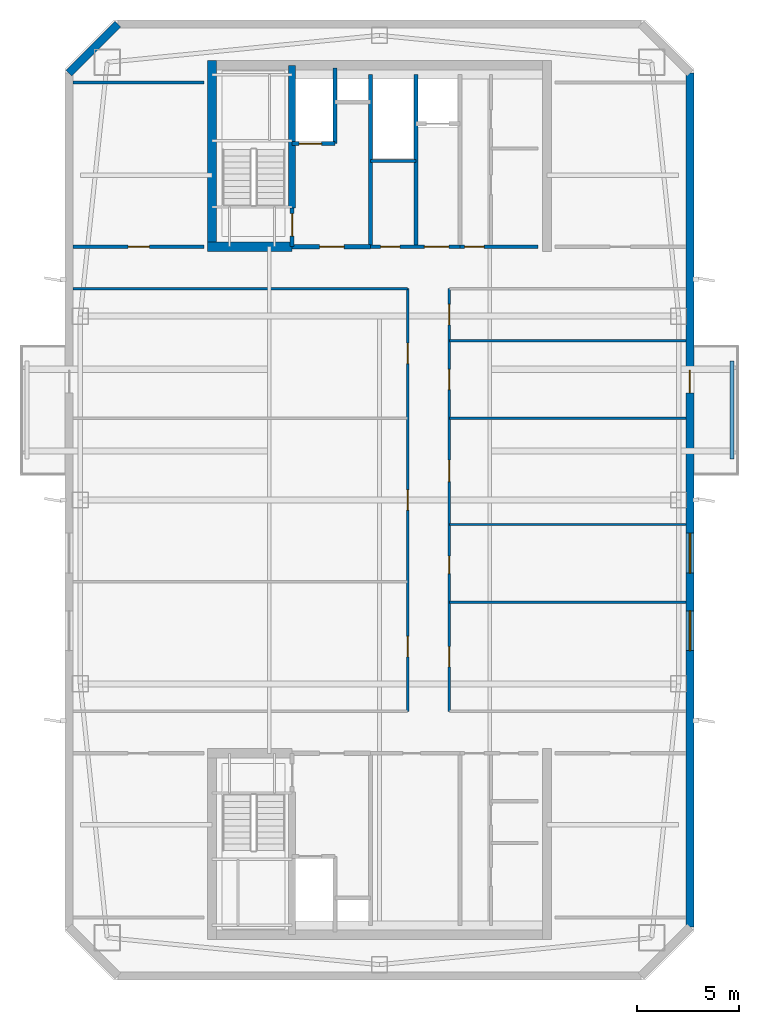
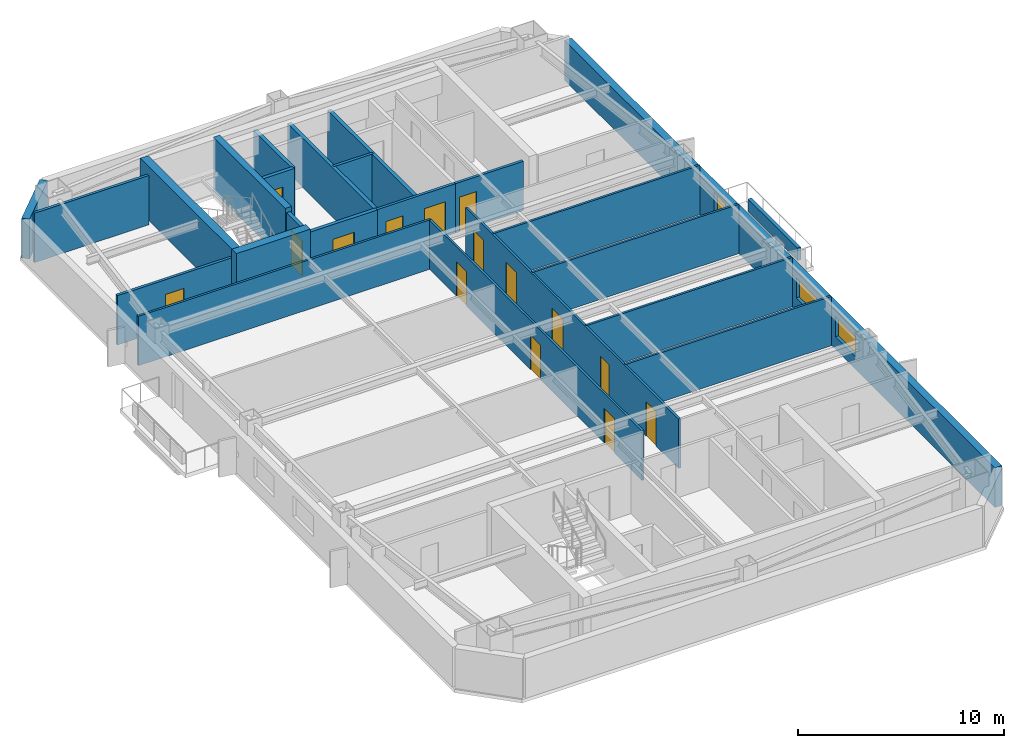
# One storey, part 3 of 7: 24 walls, 16 doors, 2 windows, 18 openings.
"""IFC4 building model written with IfcOpenShell, lengths in metres."""

from ifc_helpers import new_model, si_unit, direction, frame, frame_2d, origin, place, context, subcontext, project, spatial, rectangle, extrude, material, layer, layer_set, type_object, element, fill, save


model = new_model("IFC4")

# Units and contexts
model_context = context("Model", 3, precision=1e-05, world=origin(), true_north=direction((0.0, 1.0)))
body_context = subcontext(model_context, "Body", "Model", "MODEL_VIEW")
ifc_project = project(units=[si_unit("LENGTHUNIT", "METRE"), si_unit("AREAUNIT", "SQUARE_METRE"), si_unit("VOLUMEUNIT", "CUBIC_METRE"), si_unit("PLANEANGLEUNIT", "RADIAN"), si_unit("MASSUNIT", "GRAM", prefix="KILO")], contexts=[model_context])

# Site, building, storey
site_placement = place(None, origin())
site = spatial("IfcSite", under=ifc_project, at=site_placement, CompositionType="ELEMENT")
building_placement = place(site_placement, origin())
building = spatial("IfcBuilding", under=site, at=building_placement, Name="Qiaolan Cultural Towers", CompositionType="ELEMENT")
storey_placement = place(building_placement, frame((0.0, 0.0, 266.39990234375)))
storey = spatial("IfcBuildingStorey", under=building, at=storey_placement, Name="L73", CompositionType="ELEMENT", Elevation=266.39990234375)

# Walls
ifc_material_1 = material(Name="Concrete C50", Category="concrete")
ifc_layer_1 = layer(ifc_material_1, 0.35009765625)
ifc_layer_set_1 = layer_set([ifc_layer_1], Name="Concrete C50")
wall_type_1 = type_object("IfcWallType", Name="WL-CORE-350", PredefinedType="SHEAR", material=ifc_layer_set_1)
wall_1_placement = place(storey_placement, frame((25.719970703125, 48.300048828125, 0.0), z_axis=(0.0, 0.0, 1.0), x_axis=(0.0, 1.0, 0.0)))
element("IfcWall", 1, at=wall_1_placement, inside=storey, type_object=wall_type_1, Name="L73 T1-CN Stair Core Dividing Web", PredefinedType="SHEAR", context=body_context, shape_type="SweptSolid", body=[
    extrude(rectangle(XDim=6.97998046875, YDim=0.35009765625, at=frame_2d((3.489990234375, 0.0))), origin(), (0.0, 0.0, 1.0), 3.2001953125),
])
ifc_material_2 = material(Name="Concrete C50", Category="concrete")
ifc_layer_2 = layer(ifc_material_2, 0.449951171875)
ifc_layer_set_2 = layer_set([ifc_layer_2], Name="Concrete C50")
wall_type_2 = type_object("IfcWallType", Name="WL-CORE-450", PredefinedType="SHEAR", material=ifc_layer_set_2)
wall_2_placement = place(storey_placement, frame((21.800048828125, 46.175048828125, 0.0), z_axis=(0.0, 0.0, 1.0), x_axis=(0.0, 1.0, 0.0)))
element("IfcWall", 2, at=wall_2_placement, inside=storey, type_object=wall_type_2, Name="L73 T1-CN West Core Shear Wall", PredefinedType="SHEAR", context=body_context, shape_type="SweptSolid", body=[
    extrude(rectangle(XDim=9.329833984375, YDim=0.449951171875, at=frame_2d((4.6650390625, 0.0))), origin(), (0.0, 0.0, 1.0), 3.2001953125),
])
wall_3_placement = place(storey_placement, frame((21.574951171875, 46.39990234375, 0.0), z_axis=(0.0, 0.0, 1.0), x_axis=(1.0, 0.0, 0.0)))
element("IfcWall", 3, at=wall_3_placement, inside=storey, type_object=wall_type_2, Name="L73 T1-CN Stair Front Shear Wall", PredefinedType="SHEAR", context=body_context, shape_type="SweptSolid", body=[
    extrude(rectangle(XDim=4.14501953125, YDim=0.449951171875, at=frame_2d((2.072509765625, 0.0))), origin(), (0.0, 0.0, 1.0), 3.2001953125),
])
ifc_material_3 = material(Name="Precast Concrete C50 Honed Stone Pier", Category="masonry")
ifc_layer_3 = layer(ifc_material_3, 0.39990234375)
ifc_layer_set_3 = layer_set([ifc_layer_3], Name="Precast Concrete C50 Honed Stone Pier")
wall_type_3 = type_object("IfcWallType", Name="WL-EXT-PIER-400", PredefinedType="SOLIDWALL", material=ifc_layer_set_3)
wall_4_placement = place(storey_placement, frame((14.800048828125, 54.89990234375, 0.0), z_axis=(0.0, 0.0, 1.0), x_axis=(0.707070815327, 0.707142745217, 0.0)))
element("IfcWall", 4, at=wall_4_placement, inside=storey, type_object=wall_type_3, Name="L73 West Tower Precast Pier Facade Wall F2", PredefinedType="SOLIDWALL", context=body_context, shape_type="SweptSolid", body=[
    extrude(rectangle(XDim=3.39404296875, YDim=0.39990234375, at=frame_2d((1.697021484375, 0.0))), origin(), (0.0, 0.0, 1.0), 2.360107421875),
])

# Wall, openings, door, windows
wall_5_placement = place(storey_placement, frame((45.199951171875, 54.89990234375, 0.0), z_axis=(0.0, 0.0, 1.0), x_axis=(0.0, -1.0, 0.0)))
wall_5 = element("IfcWall", 5, at=wall_5_placement, inside=storey, type_object=wall_type_3, Name="L73 West Tower Precast Pier Facade Wall F5", PredefinedType="SOLIDWALL", context=body_context, shape_type="SweptSolid", body=[
    extrude(rectangle(XDim=41.7998046875, YDim=0.39990234375, at=frame_2d((20.89990234375, 0.0))), origin(), (0.0, 0.0, 1.0), 2.360107421875),
])
opening_1_placement = place(wall_5_placement, frame((26.324951171875, 0.0, 0.75)))
opening_1 = element("IfcOpeningElement", 6, at=opening_1_placement, cuts=wall_5, Name="Opening W-06", PredefinedType="OPENING", context=body_context, shape_type="SweptSolid", body=[
    extrude(rectangle(XDim=1.949951171875, YDim=1.2099609375, at=frame_2d((0.97509765625, 0.60498046875))), frame((0.0, 0.2099609375, 0.0), z_axis=(0.0, -1.0, 0.0), x_axis=(1.0, 0.0, 0.0)), (0.0, 0.0, 1.0), 0.419921875),
])
opening_2_placement = place(wall_5_placement, frame((22.52490234375, 0.0, 0.75)))
opening_2 = element("IfcOpeningElement", 7, at=opening_2_placement, cuts=wall_5, Name="Opening W-06", PredefinedType="OPENING", context=body_context, shape_type="SweptSolid", body=[
    extrude(rectangle(XDim=1.949951171875, YDim=1.2099609375, at=frame_2d((0.97509765625, 0.60498046875))), frame((0.0, 0.2099609375, 0.0), z_axis=(0.0, -1.0, 0.0), x_axis=(1.0, 0.0, 0.0)), (0.0, 0.0, 1.0), 0.419921875),
])
opening_3_placement = place(wall_5_placement, frame((14.550048828125, 0.0, 0.0)))
opening_3 = element("IfcOpeningElement", 8, at=opening_3_placement, cuts=wall_5, Name="Opening BD-01", PredefinedType="OPENING", context=body_context, shape_type="SweptSolid", body=[
    extrude(rectangle(XDim=1.10009765625, YDim=2.14990234375, at=frame_2d((0.550048828125, 1.074951171875))), frame((0.0, 0.2099609375, 0.0), z_axis=(0.0, -1.0, 0.0), x_axis=(1.0, 0.0, 0.0)), (0.0, 0.0, 1.0), 0.419921875),
])
ifc_material_4 = material(Name="Thermally Broken Aluminium Glazed Terrace Door", Category="aluminium")
door_type_1 = type_object("IfcDoorType", Name="DR-BAL-1100", OperationType="NOTDEFINED", PredefinedType="DOOR", material=ifc_material_4)
door_1_placement = place(opening_3_placement, origin())
door_1 = element("IfcDoor", 9, at=door_1_placement, inside=storey, type_object=door_type_1, Name="L73 T1 East Tree Balcony Door", OperationType="SINGLE_SWING_RIGHT", OverallHeight=2.14990234375, OverallWidth=1.10009765625, PredefinedType="DOOR", context=body_context, shape_type="SweptSolid", body=[
    extrude(rectangle(XDim=1.10009765625, YDim=2.14990234375, at=frame_2d((0.550048828125, 1.074951171875))), frame((0.0, 0.02490234375, 0.0), z_axis=(0.0, -1.0, 0.0), x_axis=(1.0, 0.0, 0.0)), (0.0, 0.0, 1.0), 0.050048828125),
])
fill(opening_3, door_1)
ifc_material_5 = material(Name="Thermally Broken Aluminium Triple Low-E Glazing", Category="aluminium")
window_type = type_object("IfcWindowType", Name="WN-CHIC-1950", PartitioningType="SINGLE_PANEL", PredefinedType="WINDOW", material=ifc_material_5)
window_1_placement = place(opening_1_placement, origin())
window_1 = element("IfcWindow", 10, at=window_1_placement, inside=storey, type_object=window_type, Name="L73 T1 E Chicago Bay Window 1", OverallHeight=1.2099609375, OverallWidth=1.949951171875, PartitioningType="TRIPLE_PANEL_VERTICAL", PredefinedType="WINDOW", context=body_context, shape_type="SweptSolid", body=[
    extrude(rectangle(XDim=1.949951171875, YDim=1.2099609375, at=frame_2d((0.97509765625, 0.60498046875))), frame((0.0, 0.030029296875, 0.0), z_axis=(0.0, -1.0, 0.0), x_axis=(1.0, 0.0, 0.0)), (0.0, 0.0, 1.0), 0.06005859375),
])
fill(opening_1, window_1)
window_2_placement = place(opening_2_placement, origin())
window_2 = element("IfcWindow", 11, at=window_2_placement, inside=storey, type_object=window_type, Name="L73 T1 E Chicago Bay Window 2", OverallHeight=1.2099609375, OverallWidth=1.949951171875, PartitioningType="TRIPLE_PANEL_VERTICAL", PredefinedType="WINDOW", context=body_context, shape_type="SweptSolid", body=[
    extrude(rectangle(XDim=1.949951171875, YDim=1.2099609375, at=frame_2d((0.97509765625, 0.60498046875))), frame((0.0, 0.030029296875, 0.0), z_axis=(0.0, -1.0, 0.0), x_axis=(1.0, 0.0, 0.0)), (0.0, 0.0, 1.0), 0.06005859375),
])
fill(opening_2, window_2)

# Wall, opening, door
ifc_material_6 = material(Name="Concrete C35 Fire Wall", Category="concrete")
ifc_layer_4 = layer(ifc_material_6, 0.199951171875)
ifc_layer_set_4 = layer_set([ifc_layer_4], Name="Concrete C35 Fire Wall")
wall_type_4 = type_object("IfcWallType", Name="WL-FIRE-200", PredefinedType="PARTITIONING", material=ifc_layer_set_4)
wall_6_placement = place(storey_placement, frame((25.719970703125, 46.39990234375, 0.0), z_axis=(0.0, 0.0, 1.0), x_axis=(0.0, 1.0, 0.0)))
wall_6 = element("IfcWall", 12, at=wall_6_placement, inside=storey, type_object=wall_type_4, Name="L73 T1-CN Smokeproof Stair Entry Wall", PredefinedType="PARTITIONING", context=body_context, shape_type="SweptSolid", body=[
    extrude(rectangle(XDim=1.900146484375, YDim=0.199951171875, at=frame_2d((0.9501953125, 0.0))), origin(), (0.0, 0.0, 1.0), 2.925048828125),
])
opening_4_placement = place(wall_6_placement, frame((0.52001953125, 0.0, 0.0)))
opening_4 = element("IfcOpeningElement", 13, at=opening_4_placement, cuts=wall_6, Name="Opening FD-04", PredefinedType="OPENING", context=body_context, shape_type="SweptSolid", body=[
    extrude(rectangle(XDim=1.10009765625, YDim=2.050048828125, at=frame_2d((0.550048828125, 1.02490234375))), frame((0.0, 0.10986328125, 0.0), z_axis=(0.0, -1.0, 0.0), x_axis=(1.0, 0.0, 0.0)), (0.0, 0.0, 1.0), 0.219970703125),
])
ifc_material_7 = material(Name="Galvanized Steel Command Fire Door", Category="steel")
door_type_2 = type_object("IfcDoorType", Name="DR-FD90-1100", OperationType="NOTDEFINED", PredefinedType="DOOR", material=ifc_material_7)
door_2_placement = place(opening_4_placement, origin())
door_2 = element("IfcDoor", 14, at=door_2_placement, inside=storey, type_object=door_type_2, Name="L73 ST-W2 Smokeproof Stair Fire Door", OperationType="SINGLE_SWING_LEFT", OverallHeight=2.050048828125, OverallWidth=1.10009765625, PredefinedType="DOOR", context=body_context, shape_type="SweptSolid", body=[
    extrude(rectangle(XDim=1.10009765625, YDim=2.050048828125, at=frame_2d((0.550048828125, 1.02490234375))), frame((0.0, 0.02490234375, 0.0), z_axis=(0.0, -1.0, 0.0), x_axis=(1.0, 0.0, 0.0)), (0.0, 0.0, 1.0), 0.050048828125),
])
fill(opening_4, door_2)

# Wall
wall_7_placement = place(storey_placement, frame((29.550048828125, 46.39990234375, 0.0), z_axis=(0.0, 0.0, 1.0), x_axis=(0.0, 1.0, 0.0)))
element("IfcWall", 15, at=wall_7_placement, inside=storey, type_object=wall_type_4, Name="L73 T1-CN Firefighting Zone Wall", PredefinedType="PARTITIONING", context=body_context, shape_type="SweptSolid", body=[
    extrude(rectangle(XDim=8.43017578125, YDim=0.199951171875, at=frame_2d((4.215087890625, 0.0))), origin(), (0.0, 0.0, 1.0), 2.925048828125),
])

# Wall, opening, door
wall_8_placement = place(storey_placement, frame((25.719970703125, 46.39990234375, 0.0), z_axis=(0.0, 0.0, 1.0), x_axis=(1.0, 0.0, 0.0)))
wall_8 = element("IfcWall", 16, at=wall_8_placement, inside=storey, type_object=wall_type_4, Name="L73 T1-CN Firefighting Lobby Front Wall", PredefinedType="PARTITIONING", context=body_context, shape_type="SweptSolid", body=[
    extrude(rectangle(XDim=3.830078125, YDim=0.199951171875, at=frame_2d((1.9150390625, 0.0))), origin(), (0.0, 0.0, 1.0), 2.925048828125),
])
opening_5_placement = place(wall_8_placement, frame((1.35009765625, 0.0, 0.0)))
opening_5 = element("IfcOpeningElement", 17, at=opening_5_placement, cuts=wall_8, Name="Opening FD-03", PredefinedType="OPENING", context=body_context, shape_type="SweptSolid", body=[
    extrude(rectangle(XDim=1.199951171875, YDim=2.050048828125, at=frame_2d((0.60009765625, 1.02490234375))), frame((0.0, 0.10986328125, 0.0), z_axis=(0.0, -1.0, 0.0), x_axis=(1.0, 0.0, 0.0)), (0.0, 0.0, 1.0), 0.219970703125),
])
ifc_material_8 = material(Name="Galvanized Steel Smokeproof Lobby Fire Door", Category="steel")
door_type_3 = type_object("IfcDoorType", Name="DR-FD90-1200", OperationType="NOTDEFINED", PredefinedType="DOOR", material=ifc_material_8)
door_3_placement = place(opening_5_placement, origin())
door_3 = element("IfcDoor", 18, at=door_3_placement, inside=storey, type_object=door_type_3, Name="L73 FFL-W2 Firefighting Lobby Fire Door", OperationType="SINGLE_SWING_LEFT", OverallHeight=2.050048828125, OverallWidth=1.199951171875, PredefinedType="DOOR", context=body_context, shape_type="SweptSolid", body=[
    extrude(rectangle(XDim=1.199951171875, YDim=2.050048828125, at=frame_2d((0.60009765625, 1.02490234375))), frame((0.0, 0.02490234375, 0.0), z_axis=(0.0, -1.0, 0.0), x_axis=(1.0, 0.0, 0.0)), (0.0, 0.0, 1.0), 0.050048828125),
])
fill(opening_5, door_3)

wall_9_placement = place(storey_placement, frame((25.719970703125, 51.449951171875, 0.0), z_axis=(0.0, 0.0, 1.0), x_axis=(1.0, 0.0, 0.0)))
wall_9 = element("IfcWall", 19, at=wall_9_placement, inside=storey, type_object=wall_type_4, Name="L73 T1-CN Firefighting Shaft Front Wall", PredefinedType="PARTITIONING", context=body_context, shape_type="SweptSolid", body=[
    extrude(rectangle(XDim=2.10009765625, YDim=0.199951171875, at=frame_2d((1.050048828125, 0.0))), origin(), (0.0, 0.0, 1.0), 2.925048828125),
])
opening_6_placement = place(wall_9_placement, frame((0.35009765625, 0.0, 0.0)))
opening_6 = element("IfcOpeningElement", 20, at=opening_6_placement, cuts=wall_9, Name="Opening LD-01", PredefinedType="OPENING", context=body_context, shape_type="SweptSolid", body=[
    extrude(rectangle(XDim=1.10009765625, YDim=2.050048828125, at=frame_2d((0.550048828125, 1.02490234375))), frame((0.0, 0.10986328125, 0.0), z_axis=(0.0, -1.0, 0.0), x_axis=(1.0, 0.0, 0.0)), (0.0, 0.0, 1.0), 0.219970703125),
])
ifc_material_9 = material(Name="Brushed Stainless Steel S30408 Centre-Parting Lift Landing Door", Category="steel")
door_type_4 = type_object("IfcDoorType", Name="DR-LIFT-1100", OperationType="NOTDEFINED", PredefinedType="DOOR", material=ifc_material_9)
door_4_placement = place(opening_6_placement, origin())
door_4 = element("IfcDoor", 21, at=door_4_placement, inside=storey, type_object=door_type_4, Name="L73 FFL-W2 Firefighting Lift Landing Door", OperationType="DOUBLE_DOOR_SLIDING", OverallHeight=2.050048828125, OverallWidth=1.10009765625, PredefinedType="DOOR", context=body_context, shape_type="SweptSolid", body=[
    extrude(rectangle(XDim=1.10009765625, YDim=2.050048828125, at=frame_2d((0.550048828125, 1.02490234375))), frame((0.0, 0.02490234375, 0.0), z_axis=(0.0, -1.0, 0.0), x_axis=(1.0, 0.0, 0.0)), (0.0, 0.0, 1.0), 0.050048828125),
])
fill(opening_6, door_4)

# Walls
wall_10_placement = place(storey_placement, frame((27.820068359375, 51.449951171875, 0.0), z_axis=(0.0, 0.0, 1.0), x_axis=(0.0, 1.0, 0.0)))
element("IfcWall", 22, at=wall_10_placement, inside=storey, type_object=wall_type_4, Name="L73 T1-CN Firefighting Hoistway East Wall", PredefinedType="PARTITIONING", context=body_context, shape_type="SweptSolid", body=[
    extrude(rectangle(XDim=3.699951171875, YDim=0.199951171875, at=frame_2d((1.85009765625, 0.0))), origin(), (0.0, 0.0, 1.0), 2.925048828125),
])
wall_11_placement = place(storey_placement, frame((31.780029296875, 46.39990234375, 0.0), z_axis=(0.0, 0.0, 1.0), x_axis=(0.0, 1.0, 0.0)))
element("IfcWall", 23, at=wall_11_placement, inside=storey, type_object=wall_type_4, Name="L73 T1-CN Sky Shuttle Lift Zone Wall", PredefinedType="PARTITIONING", context=body_context, shape_type="SweptSolid", body=[
    extrude(rectangle(XDim=8.43017578125, YDim=0.199951171875, at=frame_2d((4.215087890625, 0.0))), origin(), (0.0, 0.0, 1.0), 2.925048828125),
])
ifc_material_10 = material(Name="Gypsum Stud Acoustic Partition", Category="gypsum")
ifc_layer_5 = layer(ifc_material_10, 0.1201171875)
ifc_layer_set_5 = layer_set([ifc_layer_5], Name="Gypsum Stud Acoustic Partition")
wall_type_5 = type_object("IfcWallType", Name="WL-PART-120", PredefinedType="PARTITIONING", material=ifc_layer_set_5)
wall_12_placement = place(storey_placement, frame((15.0, 44.35009765625, 0.0), z_axis=(0.0, 0.0, 1.0), x_axis=(1.0, 0.0, 0.0)))
element("IfcWall", 24, at=wall_12_placement, inside=storey, type_object=wall_type_5, Name="L73 T1 North Corridor Left Wall", PredefinedType="PARTITIONING", context=body_context, shape_type="SweptSolid", body=[
    extrude(rectangle(XDim=16.375, YDim=0.1201171875, at=frame_2d((8.1875, 0.0))), origin(), (0.0, 0.0, 1.0), 2.925048828125),
])

# Wall, openings, doors
wall_13_placement = place(storey_placement, frame((31.375, 23.64990234375, 0.0), z_axis=(0.0, 0.0, 1.0), x_axis=(0.0, 1.0, 0.0)))
wall_13 = element("IfcWall", 25, at=wall_13_placement, inside=storey, type_object=wall_type_5, Name="L73 T1 West Spine Wall", PredefinedType="PARTITIONING", context=body_context, shape_type="SweptSolid", body=[
    extrude(rectangle(XDim=20.7001953125, YDim=0.1201171875, at=frame_2d((10.35009765625, 0.0))), origin(), (0.0, 0.0, 1.0), 2.925048828125),
])
opening_7_placement = place(wall_13_placement, frame((2.675048828125, 0.0, 0.0)))
opening_7 = element("IfcOpeningElement", 26, at=opening_7_placement, cuts=wall_13, Name="Opening ID-04", PredefinedType="OPENING", context=body_context, shape_type="SweptSolid", body=[
    extrude(rectangle(XDim=1.0, YDim=2.050048828125, at=frame_2d((0.5, 1.02490234375))), frame((0.0, 0.070068359375, 0.0), z_axis=(0.0, -1.0, 0.0), x_axis=(1.0, 0.0, 0.0)), (0.0, 0.0, 1.0), 0.14013671875),
])
opening_8_placement = place(wall_13_placement, frame((9.85009765625, 0.0, 0.0)))
opening_8 = element("IfcOpeningElement", 27, at=opening_8_placement, cuts=wall_13, Name="Opening ID-04", PredefinedType="OPENING", context=body_context, shape_type="SweptSolid", body=[
    extrude(rectangle(XDim=1.0, YDim=2.050048828125, at=frame_2d((0.5, 1.02490234375))), frame((0.0, 0.070068359375, 0.0), z_axis=(0.0, -1.0, 0.0), x_axis=(1.0, 0.0, 0.0)), (0.0, 0.0, 1.0), 0.14013671875),
])
opening_9_placement = place(wall_13_placement, frame((17.02490234375, 0.0, 0.0)))
opening_9 = element("IfcOpeningElement", 28, at=opening_9_placement, cuts=wall_13, Name="Opening ID-04", PredefinedType="OPENING", context=body_context, shape_type="SweptSolid", body=[
    extrude(rectangle(XDim=1.0, YDim=2.050048828125, at=frame_2d((0.5, 1.02490234375))), frame((0.0, 0.070068359375, 0.0), z_axis=(0.0, -1.0, 0.0), x_axis=(1.0, 0.0, 0.0)), (0.0, 0.0, 1.0), 0.14013671875),
])
ifc_material_11 = material(Name="Oak Veneer Acoustic Office Door", Category="timber")
door_type_5 = type_object("IfcDoorType", Name="DR-INT-1000", OperationType="NOTDEFINED", PredefinedType="DOOR", material=ifc_material_11)
door_5_placement = place(opening_7_placement, origin())
door_5 = element("IfcDoor", 29, at=door_5_placement, inside=storey, type_object=door_type_5, Name="L73 T1 Observatory Cultural Salon Door", OperationType="SINGLE_SWING_LEFT", OverallHeight=2.050048828125, OverallWidth=1.0, PredefinedType="DOOR", context=body_context, shape_type="SweptSolid", body=[
    extrude(rectangle(XDim=1.0, YDim=2.050048828125, at=frame_2d((0.5, 1.02490234375))), frame((0.0, 0.02490234375, 0.0), z_axis=(0.0, -1.0, 0.0), x_axis=(1.0, 0.0, 0.0)), (0.0, 0.0, 1.0), 0.050048828125),
])
fill(opening_7, door_5)
door_6_placement = place(opening_8_placement, origin())
door_6 = element("IfcDoor", 30, at=door_6_placement, inside=storey, type_object=door_type_5, Name="L73 T1 Observatory Cultural Salon Door", OperationType="SINGLE_SWING_RIGHT", OverallHeight=2.050048828125, OverallWidth=1.0, PredefinedType="DOOR", context=body_context, shape_type="SweptSolid", body=[
    extrude(rectangle(XDim=1.0, YDim=2.050048828125, at=frame_2d((0.5, 1.02490234375))), frame((0.0, 0.02490234375, 0.0), z_axis=(0.0, -1.0, 0.0), x_axis=(1.0, 0.0, 0.0)), (0.0, 0.0, 1.0), 0.050048828125),
])
fill(opening_8, door_6)
door_7_placement = place(opening_9_placement, origin())
door_7 = element("IfcDoor", 31, at=door_7_placement, inside=storey, type_object=door_type_5, Name="L73 T1 Observatory Lounge Door", OperationType="SINGLE_SWING_LEFT", OverallHeight=2.050048828125, OverallWidth=1.0, PredefinedType="DOOR", context=body_context, shape_type="SweptSolid", body=[
    extrude(rectangle(XDim=1.0, YDim=2.050048828125, at=frame_2d((0.5, 1.02490234375))), frame((0.0, 0.02490234375, 0.0), z_axis=(0.0, -1.0, 0.0), x_axis=(1.0, 0.0, 0.0)), (0.0, 0.0, 1.0), 0.050048828125),
])
fill(opening_9, door_7)

wall_14_placement = place(storey_placement, frame((33.425048828125, 23.64990234375, 0.0), z_axis=(0.0, 0.0, 1.0), x_axis=(0.0, 1.0, 0.0)))
wall_14 = element("IfcWall", 32, at=wall_14_placement, inside=storey, type_object=wall_type_5, Name="L73 T1 East Spine Wall", PredefinedType="PARTITIONING", context=body_context, shape_type="SweptSolid", body=[
    extrude(rectangle(XDim=20.7001953125, YDim=0.1201171875, at=frame_2d((10.35009765625, 0.0))), origin(), (0.0, 0.0, 1.0), 2.925048828125),
])
opening_10_placement = place(wall_14_placement, frame((2.175048828125, 0.0, 0.0)))
opening_10 = element("IfcOpeningElement", 33, at=opening_10_placement, cuts=wall_14, Name="Opening ID-04", PredefinedType="OPENING", context=body_context, shape_type="SweptSolid", body=[
    extrude(rectangle(XDim=1.0, YDim=2.050048828125, at=frame_2d((0.5, 1.02490234375))), frame((0.0, 0.070068359375, 0.0), z_axis=(0.0, -1.0, 0.0), x_axis=(1.0, 0.0, 0.0)), (0.0, 0.0, 1.0), 0.14013671875),
])
opening_11_placement = place(wall_14_placement, frame((6.75, 0.0, 0.0)))
opening_11 = element("IfcOpeningElement", 34, at=opening_11_placement, cuts=wall_14, Name="Opening ID-09", PredefinedType="OPENING", context=body_context, shape_type="SweptSolid", body=[
    extrude(rectangle(XDim=0.85009765625, YDim=2.050048828125, at=frame_2d((0.425048828125, 1.02490234375))), frame((0.0, 0.070068359375, 0.0), z_axis=(0.0, -1.0, 0.0), x_axis=(1.0, 0.0, 0.0)), (0.0, 0.0, 1.0), 0.14013671875),
])
opening_12_placement = place(wall_14_placement, frame((11.25, 0.0, 0.0)))
opening_12 = element("IfcOpeningElement", 35, at=opening_12_placement, cuts=wall_14, Name="Opening ID-07", PredefinedType="OPENING", context=body_context, shape_type="SweptSolid", body=[
    extrude(rectangle(XDim=1.050048828125, YDim=2.050048828125, at=frame_2d((0.52490234375, 1.02490234375))), frame((0.0, 0.070068359375, 0.0), z_axis=(0.0, -1.0, 0.0), x_axis=(1.0, 0.0, 0.0)), (0.0, 0.0, 1.0), 0.14013671875),
])
opening_13_placement = place(wall_14_placement, frame((15.75, 0.0, 0.0)))
opening_13 = element("IfcOpeningElement", 36, at=opening_13_placement, cuts=wall_14, Name="Opening ID-04", PredefinedType="OPENING", context=body_context, shape_type="SweptSolid", body=[
    extrude(rectangle(XDim=1.0, YDim=2.050048828125, at=frame_2d((0.5, 1.02490234375))), frame((0.0, 0.070068359375, 0.0), z_axis=(0.0, -1.0, 0.0), x_axis=(1.0, 0.0, 0.0)), (0.0, 0.0, 1.0), 0.14013671875),
])
opening_14_placement = place(wall_14_placement, frame((18.925048828125, 0.0, 0.0)))
opening_14 = element("IfcOpeningElement", 37, at=opening_14_placement, cuts=wall_14, Name="Opening ID-04", PredefinedType="OPENING", context=body_context, shape_type="SweptSolid", body=[
    extrude(rectangle(XDim=1.0, YDim=2.050048828125, at=frame_2d((0.5, 1.02490234375))), frame((0.0, 0.070068359375, 0.0), z_axis=(0.0, -1.0, 0.0), x_axis=(1.0, 0.0, 0.0)), (0.0, 0.0, 1.0), 0.14013671875),
])
door_8_placement = place(opening_10_placement, origin())
door_8 = element("IfcDoor", 38, at=door_8_placement, inside=storey, type_object=door_type_5, Name="L73 T1 Wellness Consultation Room Door", OperationType="SINGLE_SWING_RIGHT", OverallHeight=2.050048828125, OverallWidth=1.0, PredefinedType="DOOR", context=body_context, shape_type="SweptSolid", body=[
    extrude(rectangle(XDim=1.0, YDim=2.050048828125, at=frame_2d((0.5, 1.02490234375))), frame((0.0, 0.02490234375, 0.0), z_axis=(0.0, -1.0, 0.0), x_axis=(1.0, 0.0, 0.0)), (0.0, 0.0, 1.0), 0.050048828125),
])
fill(opening_10, door_8)
door_9_placement = place(opening_13_placement, origin())
door_9 = element("IfcDoor", 39, at=door_9_placement, inside=storey, type_object=door_type_5, Name="L73 T1 Sky Kitchen Door", OperationType="SINGLE_SWING_LEFT", OverallHeight=2.050048828125, OverallWidth=1.0, PredefinedType="DOOR", context=body_context, shape_type="SweptSolid", body=[
    extrude(rectangle(XDim=1.0, YDim=2.050048828125, at=frame_2d((0.5, 1.02490234375))), frame((0.0, 0.02490234375, 0.0), z_axis=(0.0, -1.0, 0.0), x_axis=(1.0, 0.0, 0.0)), (0.0, 0.0, 1.0), 0.050048828125),
])
fill(opening_13, door_9)
door_10_placement = place(opening_14_placement, origin())
door_10 = element("IfcDoor", 40, at=door_10_placement, inside=storey, type_object=door_type_5, Name="L73 T1 Observatory Gift Shop Door", OperationType="SINGLE_SWING_RIGHT", OverallHeight=2.050048828125, OverallWidth=1.0, PredefinedType="DOOR", context=body_context, shape_type="SweptSolid", body=[
    extrude(rectangle(XDim=1.0, YDim=2.050048828125, at=frame_2d((0.5, 1.02490234375))), frame((0.0, 0.02490234375, 0.0), z_axis=(0.0, -1.0, 0.0), x_axis=(1.0, 0.0, 0.0)), (0.0, 0.0, 1.0), 0.050048828125),
])
fill(opening_14, door_10)
ifc_material_12 = material(Name="Oak Veneer Consultation Door", Category="timber")
door_type_6 = type_object("IfcDoorType", Name="DR-INT-1050", OperationType="NOTDEFINED", PredefinedType="DOOR", material=ifc_material_12)
door_11_placement = place(opening_12_placement, origin())
door_11 = element("IfcDoor", 41, at=door_11_placement, inside=storey, type_object=door_type_6, Name="L73 T1 Sky Kitchen Door", OperationType="SINGLE_SWING_RIGHT", OverallHeight=2.050048828125, OverallWidth=1.050048828125, PredefinedType="DOOR", context=body_context, shape_type="SweptSolid", body=[
    extrude(rectangle(XDim=1.050048828125, YDim=2.050048828125, at=frame_2d((0.52490234375, 1.02490234375))), frame((0.0, 0.02490234375, 0.0), z_axis=(0.0, -1.0, 0.0), x_axis=(1.0, 0.0, 0.0)), (0.0, 0.0, 1.0), 0.050048828125),
])
fill(opening_12, door_11)
ifc_material_13 = material(Name="Moisture-Resistant Laminate Utility Door", Category="timber")
door_type_7 = type_object("IfcDoorType", Name="DR-INT-850", OperationType="NOTDEFINED", PredefinedType="DOOR", material=ifc_material_13)
door_12_placement = place(opening_11_placement, origin())
door_12 = element("IfcDoor", 42, at=door_12_placement, inside=storey, type_object=door_type_7, Name="L73 T1 Wellness Consultation Room Door", OperationType="SINGLE_SWING_LEFT", OverallHeight=2.050048828125, OverallWidth=0.85009765625, PredefinedType="DOOR", context=body_context, shape_type="SweptSolid", body=[
    extrude(rectangle(XDim=0.85009765625, YDim=2.050048828125, at=frame_2d((0.425048828125, 1.02490234375))), frame((0.0, 0.02490234375, 0.0), z_axis=(0.0, -1.0, 0.0), x_axis=(1.0, 0.0, 0.0)), (0.0, 0.0, 1.0), 0.050048828125),
])
fill(opening_11, door_12)

# Walls
for number, where, z_axis, x_axis, name in (
    (43, (33.425048828125, 29.0, 0.0), (0.0, 0.0, 1.0), (1.0, 0.0, 0.0), "L73 T1 East Partition 1"),
    (44, (33.425048828125, 32.800048828125, 0.0), (0.0, 0.0, 1.0), (1.0, 0.0, 0.0), "L73 T1 East Partition 2"),
    (45, (33.425048828125, 38.0, 0.0), (0.0, 0.0, 1.0), (1.0, 0.0, 0.0), "L73 T1 East Partition 3"),
    (46, (33.425048828125, 41.800048828125, 0.0), (0.0, 0.0, 1.0), (1.0, 0.0, 0.0), "L73 T1 East Partition 4"),
):
    element("IfcWall", number, at=place(storey_placement, frame(where, z_axis=z_axis, x_axis=x_axis)), inside=storey, type_object=wall_type_5, Name=name, PredefinedType="PARTITIONING", context=body_context, shape_type="SweptSolid", body=[
        extrude(rectangle(XDim=11.574951171875, YDim=0.1201171875, at=frame_2d((5.78759765625, 0.0))), origin(), (0.0, 0.0, 1.0), 2.925048828125),
    ])

# Wall, openings, doors
ifc_material_14 = material(Name="Autoclaved Aerated Concrete Block B06", Category="concrete")
ifc_layer_6 = layer(ifc_material_14, 0.14990234375)
ifc_layer_set_6 = layer_set([ifc_layer_6], Name="Autoclaved Aerated Concrete Block B06")
wall_type_6 = type_object("IfcWallType", Name="WL-PART-150", PredefinedType="PARTITIONING", material=ifc_layer_set_6)
wall_15_placement = place(storey_placement, frame((29.550048828125, 46.39990234375, 0.0), z_axis=(0.0, 0.0, 1.0), x_axis=(1.0, 0.0, 0.0)))
wall_15 = element("IfcWall", 47, at=wall_15_placement, inside=storey, type_object=wall_type_6, Name="L73 T1-CN High-Zone Lift Lobby Wall", PredefinedType="PARTITIONING", context=body_context, shape_type="SweptSolid", body=[
    extrude(rectangle(XDim=4.39990234375, YDim=0.14990234375, at=frame_2d((2.199951171875, 0.0))), origin(), (0.0, 0.0, 1.0), 2.925048828125),
])
opening_15_placement = place(wall_15_placement, frame((0.5, 0.0, 0.0)))
opening_15 = element("IfcOpeningElement", 48, at=opening_15_placement, cuts=wall_15, Name="Opening ID-05", PredefinedType="OPENING", context=body_context, shape_type="SweptSolid", body=[
    extrude(rectangle(XDim=0.949951171875, YDim=2.050048828125, at=frame_2d((0.47509765625, 1.02490234375))), frame((0.0, 0.0849609375, 0.0), z_axis=(0.0, -1.0, 0.0), x_axis=(1.0, 0.0, 0.0)), (0.0, 0.0, 1.0), 0.169921875),
])
opening_16_placement = place(wall_15_placement, frame((2.64990234375, 0.0, 0.0)))
opening_16 = element("IfcOpeningElement", 49, at=opening_16_placement, cuts=wall_15, Name="Opening FD-06", PredefinedType="OPENING", context=body_context, shape_type="SweptSolid", body=[
    extrude(rectangle(XDim=1.199951171875, YDim=2.050048828125, at=frame_2d((0.60009765625, 1.02490234375))), frame((0.0, 0.0849609375, 0.0), z_axis=(0.0, -1.0, 0.0), x_axis=(1.0, 0.0, 0.0)), (0.0, 0.0, 1.0), 0.169921875),
])
ifc_material_15 = material(Name="Painted Steel Plant Fire Door", Category="steel")
door_type_8 = type_object("IfcDoorType", Name="DR-FD60-1200", OperationType="NOTDEFINED", PredefinedType="DOOR", material=ifc_material_15)
door_13_placement = place(opening_16_placement, origin())
door_13 = element("IfcDoor", 50, at=door_13_placement, inside=storey, type_object=door_type_8, Name="L73 Sky Shuttle Lift Lobby Door", OperationType="SINGLE_SWING_RIGHT", OverallHeight=2.050048828125, OverallWidth=1.199951171875, PredefinedType="DOOR", context=body_context, shape_type="SweptSolid", body=[
    extrude(rectangle(XDim=1.199951171875, YDim=2.050048828125, at=frame_2d((0.60009765625, 1.02490234375))), frame((0.0, 0.02490234375, 0.0), z_axis=(0.0, -1.0, 0.0), x_axis=(1.0, 0.0, 0.0)), (0.0, 0.0, 1.0), 0.050048828125),
])
fill(opening_16, door_13)
ifc_material_16 = material(Name="Fire-Rated Laminate Accessible Core Door", Category="timber")
door_type_9 = type_object("IfcDoorType", Name="DR-INT-950", OperationType="NOTDEFINED", PredefinedType="DOOR", material=ifc_material_16)
door_14_placement = place(opening_15_placement, origin())
door_14 = element("IfcDoor", 51, at=door_14_placement, inside=storey, type_object=door_type_9, Name="L73 Reclaimed Server Room Door", OperationType="SINGLE_SWING_LEFT", OverallHeight=2.050048828125, OverallWidth=0.949951171875, PredefinedType="DOOR", context=body_context, shape_type="SweptSolid", body=[
    extrude(rectangle(XDim=0.949951171875, YDim=2.050048828125, at=frame_2d((0.47509765625, 1.02490234375))), frame((0.0, 0.02490234375, 0.0), z_axis=(0.0, -1.0, 0.0), x_axis=(1.0, 0.0, 0.0)), (0.0, 0.0, 1.0), 0.050048828125),
])
fill(opening_15, door_14)

# Wall
wall_16_placement = place(storey_placement, frame((29.550048828125, 50.60009765625, 0.0), z_axis=(0.0, 0.0, 1.0), x_axis=(1.0, 0.0, 0.0)))
element("IfcWall", 52, at=wall_16_placement, inside=storey, type_object=wall_type_6, Name="L73 T1-CN High-Zone Reclaimed Split", PredefinedType="PARTITIONING", context=body_context, shape_type="SweptSolid", body=[
    extrude(rectangle(XDim=2.22998046875, YDim=0.14990234375, at=frame_2d((1.114990234375, 0.0))), origin(), (0.0, 0.0, 1.0), 2.925048828125),
])

# Wall, opening, door
wall_17_placement = place(storey_placement, frame((33.949951171875, 46.39990234375, 0.0), z_axis=(0.0, 0.0, 1.0), x_axis=(1.0, 0.0, 0.0)))
wall_17 = element("IfcWall", 53, at=wall_17_placement, inside=storey, type_object=wall_type_6, Name="L73 T1-CN Sanitary Core Front Wall", PredefinedType="PARTITIONING", context=body_context, shape_type="SweptSolid", body=[
    extrude(rectangle(XDim=3.800048828125, YDim=0.14990234375, at=frame_2d((1.89990234375, 0.0))), origin(), (0.0, 0.0, 1.0), 2.925048828125),
])
opening_17_placement = place(wall_17_placement, frame((0.219970703125, 0.0, 0.0)))
opening_17 = element("IfcOpeningElement", 54, at=opening_17_placement, cuts=wall_17, Name="Opening ID-05", PredefinedType="OPENING", context=body_context, shape_type="SweptSolid", body=[
    extrude(rectangle(XDim=0.949951171875, YDim=2.050048828125, at=frame_2d((0.47509765625, 1.02490234375))), frame((0.0, 0.0849609375, 0.0), z_axis=(0.0, -1.0, 0.0), x_axis=(1.0, 0.0, 0.0)), (0.0, 0.0, 1.0), 0.169921875),
])
door_15_placement = place(opening_17_placement, origin())
door_15 = element("IfcDoor", 55, at=door_15_placement, inside=storey, type_object=door_type_9, Name="L73 Sanitary Lobby Door", OperationType="SINGLE_SWING_LEFT", OverallHeight=2.050048828125, OverallWidth=0.949951171875, PredefinedType="DOOR", context=body_context, shape_type="SweptSolid", body=[
    extrude(rectangle(XDim=0.949951171875, YDim=2.050048828125, at=frame_2d((0.47509765625, 1.02490234375))), frame((0.0, 0.02490234375, 0.0), z_axis=(0.0, -1.0, 0.0), x_axis=(1.0, 0.0, 0.0)), (0.0, 0.0, 1.0), 0.050048828125),
])
fill(opening_17, door_15)

# Wall
wall_18_placement = place(storey_placement, frame((15.0, 54.449951171875, 0.0), z_axis=(0.0, 0.0, 1.0), x_axis=(1.0, 0.0, 0.0)))
element("IfcWall", 56, at=wall_18_placement, inside=storey, type_object=wall_type_6, Name="L73 T1 Flank Wall FLK-NW", PredefinedType="PARTITIONING", context=body_context, shape_type="SweptSolid", body=[
    extrude(rectangle(XDim=6.39990234375, YDim=0.14990234375, at=frame_2d((3.199951171875, 0.0))), origin(), (0.0, 0.0, 1.0), 2.925048828125),
])

# Wall, opening, door
wall_19_placement = place(storey_placement, frame((15.0, 46.39990234375, 0.0), z_axis=(0.0, 0.0, 1.0), x_axis=(1.0, 0.0, 0.0)))
wall_19 = element("IfcWall", 57, at=wall_19_placement, inside=storey, type_object=wall_type_6, Name="L73 T1 Flank Front FLK-NW", PredefinedType="PARTITIONING", context=body_context, shape_type="SweptSolid", body=[
    extrude(rectangle(XDim=6.39990234375, YDim=0.14990234375, at=frame_2d((3.199951171875, 0.0))), origin(), (0.0, 0.0, 1.0), 2.925048828125),
])
opening_18_placement = place(wall_19_placement, frame((2.68798828125, 0.0, 0.0)))
opening_18 = element("IfcOpeningElement", 58, at=opening_18_placement, cuts=wall_19, Name="Opening ID-07", PredefinedType="OPENING", context=body_context, shape_type="SweptSolid", body=[
    extrude(rectangle(XDim=1.050048828125, YDim=2.050048828125, at=frame_2d((0.52490234375, 1.02490234375))), frame((0.0, 0.0849609375, 0.0), z_axis=(0.0, -1.0, 0.0), x_axis=(1.0, 0.0, 0.0)), (0.0, 0.0, 1.0), 0.169921875),
])
door_16_placement = place(opening_18_placement, origin())
door_16 = element("IfcDoor", 59, at=door_16_placement, inside=storey, type_object=door_type_6, Name="L73 T1 Corner Studio Door", OperationType="SINGLE_SWING_LEFT", OverallHeight=2.050048828125, OverallWidth=1.050048828125, PredefinedType="DOOR", context=body_context, shape_type="SweptSolid", body=[
    extrude(rectangle(XDim=1.050048828125, YDim=2.050048828125, at=frame_2d((0.52490234375, 1.02490234375))), frame((0.0, 0.02490234375, 0.0), z_axis=(0.0, -1.0, 0.0), x_axis=(1.0, 0.0, 0.0)), (0.0, 0.0, 1.0), 0.050048828125),
])
fill(opening_18, door_16)

# Wall
ifc_material_17 = material(Name="Precast Concrete C45 Tree Planter Upstand", Category="concrete")
ifc_layer_7 = layer(ifc_material_17, 0.199951171875)
ifc_layer_set_7 = layer_set([ifc_layer_7], Name="Precast Concrete C45 Tree Planter Upstand")
wall_type_7 = type_object("IfcWallType", Name="WL-PLANTER-200", PredefinedType="PARAPET", material=ifc_layer_set_7)
wall_20_placement = place(storey_placement, frame((47.25, 36.0, 0.0), z_axis=(0.0, 0.0, 1.0), x_axis=(0.0, 1.0, 0.0)))
element("IfcWall", 60, at=wall_20_placement, inside=storey, type_object=wall_type_7, Name="L73 T1 Tree Balcony Soil Planter Box E", PredefinedType="PARAPET", context=body_context, shape_type="SweptSolid", body=[
    extrude(rectangle(XDim=4.800048828125, YDim=0.199951171875, at=frame_2d((2.39990234375, 0.0))), origin(), (0.0, 0.0, 1.0), 0.75),
])

save(model, "model.ifc")
